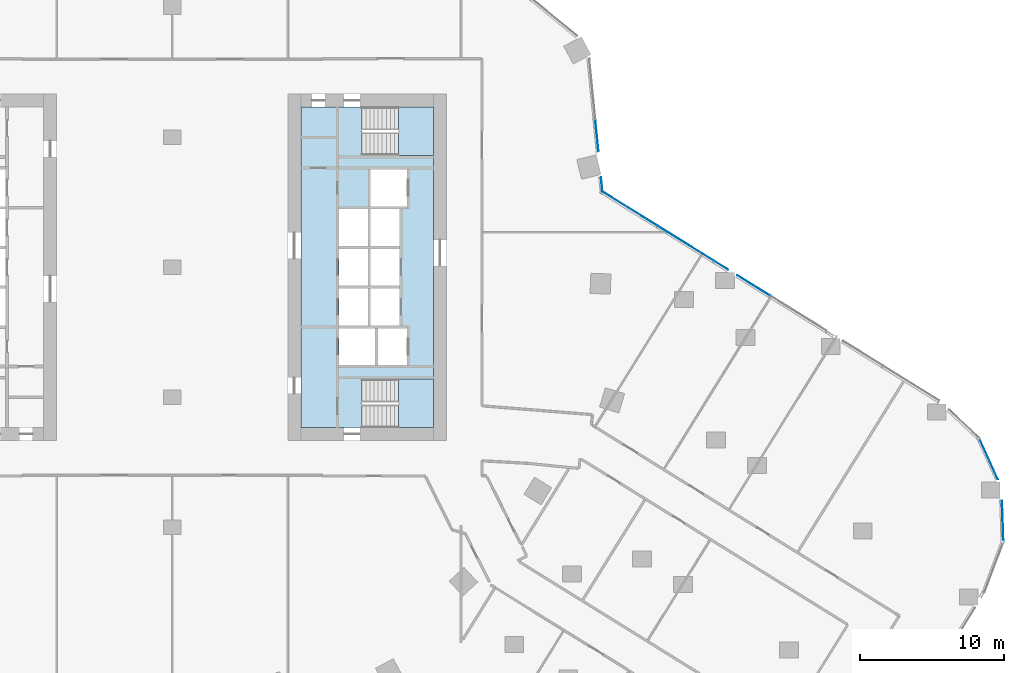
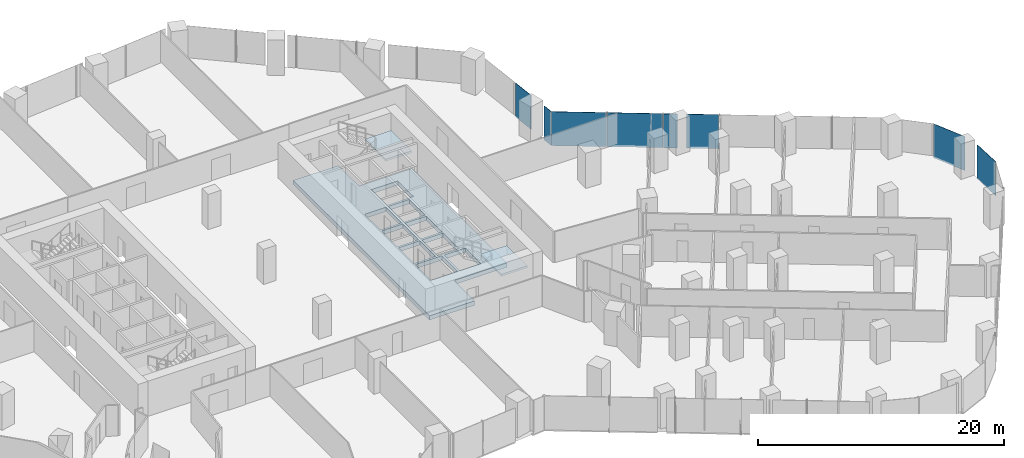
# One storey, part 23 of 34: 8 plates, 3 slabs, 6 elements without a shape of their own.
"""IFC4 building model written with IfcOpenShell, lengths in metres."""

import ifcopenshell
import ifcopenshell.guid

model = None  # the IFC model being written
_history = None  # IfcOwnerHistory: only IFC2X3 demands one
_inside = {}  # id of a spatial element -> (the spatial element, [elements in it])
_under = {}  # id of a project, library or spatial element -> (it, [spatial elements below it])
_declared = {}  # id of a project -> (the project, [libraries it declares])
_typed = {}  # id of a type object -> (the type object, [elements of that type])
_made_of = {}  # id of a material, layer set ... -> (it, [elements and type objects made of it])


def new_model(schema):
    """Start an empty IFC model of exactly this schema.

    Asked for "IFC4X3", IfcOpenShell would pick the latest addendum, in which some entities
    have other attributes; the version numbers below select the first issue.
    IFC2X3 requires an IfcOwnerHistory on every rooted entity: one is made here for all.
    """
    global model, _history
    if schema == "IFC4X3":
        model = ifcopenshell.file(schema_version=(4, 3, 0, 0))
    else:
        model = ifcopenshell.file(schema=schema)
    _inside.clear()
    _under.clear()
    _declared.clear()
    _typed.clear()
    _made_of.clear()
    _history = None
    if model.schema == "IFC2X3":
        org = make("IfcOrganization", Name="unknown")
        user = make(
            "IfcPersonAndOrganization",
            ThePerson=make("IfcPerson", FamilyName="unknown"),
            TheOrganization=org,
        )
        app = make(
            "IfcApplication",
            ApplicationDeveloper=org,
            Version="unknown",
            ApplicationFullName="unknown",
            ApplicationIdentifier="unknown",
        )
        _history = make(
            "IfcOwnerHistory",
            OwningUser=user,
            OwningApplication=app,
            ChangeAction="ADDED",
            CreationDate=0,
        )
    return model


def make(cls, **values):
    """One entity of the class cls with the attributes given. An attribute that is None is left unset."""
    return model.create_entity(
        cls, **{name: value for name, value in values.items() if value is not None}
    )


def rooted(cls, **values):
    """An entity with a GlobalId (a new one), such as an element, a storey or a relation."""
    return make(cls, GlobalId=ifcopenshell.guid.new(), OwnerHistory=_history, **values)


def si_unit(unit_type, name, prefix=None):
    """IfcSIUnit, for example si_unit("LENGTHUNIT", "METRE", prefix="MILLI")."""
    return make("IfcSIUnit", UnitType=unit_type, Prefix=prefix, Name=name)


def assignment(units):
    """IfcUnitAssignment: the units of a project."""
    return None if units is None else make("IfcUnitAssignment", Units=units)


def point(xyz):
    """IfcCartesianPoint."""
    return None if xyz is None else make("IfcCartesianPoint", Coordinates=xyz)


def direction(xyz):
    """IfcDirection."""
    return None if xyz is None else make("IfcDirection", DirectionRatios=xyz)


def frame(location, z_axis=None, x_axis=None):
    """IfcAxis2Placement3D, a coordinate frame: its origin and axes. An axis left out is left unset."""
    return make(
        "IfcAxis2Placement3D",
        Location=point(location),
        Axis=direction(z_axis),
        RefDirection=direction(x_axis),
    )


def frame_2d(location, x_axis=None):
    """IfcAxis2Placement2D, a coordinate frame in the plane: its origin and x axis."""
    return make(
        "IfcAxis2Placement2D", Location=point(location), RefDirection=direction(x_axis)
    )


def origin():
    """The frame at (0, 0, 0) with its axes left unset."""
    return frame((0.0, 0.0, 0.0))


def origin_2d():
    """The frame at (0, 0) in the plane with its x axis left unset."""
    return frame_2d((0.0, 0.0))


def place(relative_to, where):
    """IfcLocalPlacement: puts the frame where relative to a parent placement (None: the world)."""
    return make(
        "IfcLocalPlacement", PlacementRelTo=relative_to, RelativePlacement=where
    )


def context(
    kind, dimensions, precision=None, world=None, true_north=None, identifier=None
):
    """IfcGeometricRepresentationContext, for example the 3D "Model" context."""
    return make(
        "IfcGeometricRepresentationContext",
        ContextIdentifier=identifier,
        ContextType=kind,
        CoordinateSpaceDimension=dimensions,
        Precision=precision,
        WorldCoordinateSystem=world,
        TrueNorth=true_north,
    )


def subcontext(parent, identifier, kind, view, scale=None):
    """IfcGeometricRepresentationSubContext, for example "Body" below "Model"."""
    return make(
        "IfcGeometricRepresentationSubContext",
        ContextIdentifier=identifier,
        ContextType=kind,
        ParentContext=parent,
        TargetScale=scale,
        TargetView=view,
    )


def project(units=None, contexts=None):
    """IfcProject with its units and contexts."""
    return rooted(
        "IfcProject",
        Name="project",
        RepresentationContexts=contexts,
        UnitsInContext=assignment(units),
    )


def spatial(cls, under=None, at=None, **own):
    """A site, building, storey or space (cls), placed at a placement, below another one or the project."""
    s = rooted(cls, ObjectPlacement=at, **own)
    if under is not None:
        _under.setdefault(under.id(), (under, []))[1].append(s)
    return s


def polyline(points):
    """IfcPolyline through the points."""
    return make("IfcPolyline", Points=[point(p) for p in points])


def profile(cls, at=None, kind="AREA", **sizes):
    """A parametric profile (cls). Its sizes go by their IFC names, for example OverallWidth=200.0."""
    return make(cls, ProfileType=kind, Position=at, **sizes)


def rectangle(**sizes):
    """IfcRectangleProfileDef."""
    return profile("IfcRectangleProfileDef", **sizes)


def outline(outer, holes=None, kind="AREA"):
    """IfcArbitraryClosedProfileDef: a profile drawn as a closed curve; with holes, ...WithVoids."""
    if holes is None:
        return make("IfcArbitraryClosedProfileDef", ProfileType=kind, OuterCurve=outer)
    return make(
        "IfcArbitraryProfileDefWithVoids",
        ProfileType=kind,
        OuterCurve=outer,
        InnerCurves=holes,
    )


def extrude(swept, where, along, depth):
    """IfcExtrudedAreaSolid: the profile swept, set in the frame where, extruded along a direction by depth."""
    return make(
        "IfcExtrudedAreaSolid",
        SweptArea=swept,
        Position=where,
        ExtrudedDirection=direction(along),
        Depth=depth,
    )


def shape(context_of_items, identifier, shape_type, items):
    """IfcShapeRepresentation: the items that make up one representation, for example the "Body"."""
    return make(
        "IfcShapeRepresentation",
        ContextOfItems=context_of_items,
        RepresentationIdentifier=identifier,
        RepresentationType=shape_type,
        Items=items,
    )


def material(Name=None, Category=None):
    """IfcMaterial."""
    return make("IfcMaterial", Name=Name, Category=Category)


def layer(
    of_material, thickness, ventilated=None, Name=None, Category=None, Priority=None
):
    """IfcMaterialLayer: one layer of a wall or slab, of a material (None: an air gap)."""
    return make(
        "IfcMaterialLayer",
        Material=of_material,
        LayerThickness=thickness,
        IsVentilated=ventilated,
        Name=Name,
        Category=Category,
        Priority=Priority,
    )


def layer_set(layers, Name=None):
    """IfcMaterialLayerSet."""
    return make("IfcMaterialLayerSet", MaterialLayers=layers, LayerSetName=Name)


def made_of(thing, what):
    """Note that an element or type object is made of a material, layer set ...; save() writes the relation."""
    if what is not None:
        _made_of.setdefault(what.id(), (what, []))[1].append(thing)
    return thing


def type_object(cls, material=None, **own):
    """A type object (cls), such as IfcWallType, which elements share."""
    return made_of(rooted(cls, **own), material)


def element(
    cls,
    number,
    at=None,
    inside=None,
    cuts=None,
    type_object=None,
    material=None,
    context=None,
    identifier="Body",
    shape_type=None,
    held_by="IfcProductDefinitionShape",
    body=None,
    shapes=None,
    **own,
):
    """One element of the class cls, such as IfcWall. Its Tag is "e" and its number.

    at: its placement. inside: the storey or other place that contains it. cuts: it is an
    opening in that element (IfcRelVoidsElement). A single representation is given by context,
    identifier, shape_type and body (its items); several are given by shapes. held_by: the class
    of the entity that holds the representations. save() writes the other relations.
    """
    e = rooted(cls, Tag="e%d" % number, ObjectPlacement=at, **own)
    if body is not None:
        shapes = [shape(context, identifier, shape_type, body)]
    if shapes is not None:
        e.Representation = make(held_by, Representations=shapes)
    if inside is not None:
        _inside.setdefault(inside.id(), (inside, []))[1].append(e)
    if cuts is not None:
        rooted(
            "IfcRelVoidsElement", RelatingBuildingElement=cuts, RelatedOpeningElement=e
        )
    if type_object is not None:
        _typed.setdefault(type_object.id(), (type_object, []))[1].append(e)
    return made_of(e, material)


def aggregate(whole, parts):
    """IfcRelAggregates: a whole, such as a stair, and the parts it consists of."""
    return rooted("IfcRelAggregates", RelatingObject=whole, RelatedObjects=parts)


def save(model, path):
    """Write the relations noted so far, then the file.

    IfcRelAggregates (storeys below a building ...), IfcRelContainedInSpatialStructure (elements
    in a storey), IfcRelDefinesByType, IfcRelAssociatesMaterial and IfcRelDeclares: one each for
    every whole, place, type object, material and project.
    """
    for whole, parts in _under.values():
        aggregate(whole, parts)
    for where, things in _inside.values():
        rooted(
            "IfcRelContainedInSpatialStructure",
            RelatedElements=things,
            RelatingStructure=where,
        )
    for kind, things in _typed.values():
        rooted("IfcRelDefinesByType", RelatedObjects=things, RelatingType=kind)
    for what, things in _made_of.values():
        rooted("IfcRelAssociatesMaterial", RelatedObjects=things, RelatingMaterial=what)
    for by, libraries in _declared.values():
        rooted("IfcRelDeclares", RelatingContext=by, RelatedDefinitions=libraries)
    model.write(path)


model = new_model("IFC4")

# Units and contexts
model_context = context("Model", 3, precision=1e-05, world=origin(), true_north=direction((0.0, 1.0)))
body_context = subcontext(model_context, "Body", "Model", "MODEL_VIEW")
ifc_project = project(units=[si_unit("LENGTHUNIT", "METRE"), si_unit("AREAUNIT", "SQUARE_METRE"), si_unit("VOLUMEUNIT", "CUBIC_METRE"), si_unit("PLANEANGLEUNIT", "RADIAN"), si_unit("MASSUNIT", "GRAM", prefix="KILO")], contexts=[model_context])

# Site, building, storey
site_placement = place(None, origin())
site = spatial("IfcSite", under=ifc_project, at=site_placement, CompositionType="ELEMENT")
building_placement = place(site_placement, origin())
building = spatial("IfcBuilding", under=site, at=building_placement, Name="Orlundy Tower", CompositionType="ELEMENT")
storey_placement = place(building_placement, frame((0.0, 0.0, 44.300048828125)))
storey = spatial("IfcBuildingStorey", under=building, at=storey_placement, Name="L09", CompositionType="ELEMENT", Elevation=44.300048828125)

# Curtain wall, plates
ifc_material_1 = material(Name="Aluminium bronze anodised", Category="aluminium")
curtain_wall_type = type_object("IfcCurtainWallType", Name="CW1 wall", PredefinedType="NOTDEFINED", material=ifc_material_1)
curtain_wall_1_placement = place(storey_placement, origin())
curtain_wall_1 = element("IfcCurtainWall", 1, at=curtain_wall_1_placement, inside=storey, type_object=curtain_wall_type, Name="CW1 run 05", PredefinedType="NOTDEFINED")
ifc_material_2 = material(Name="Tinted glass", Category="glass")
ifc_layer_1 = layer(ifc_material_2, 0.031982421875)
ifc_layer_set_1 = layer_set([ifc_layer_1], Name="CW1 glass panel 32")
plate_type = type_object("IfcPlateType", Name="CW1 glass panel 32", PredefinedType="CURTAIN_PANEL", material=ifc_layer_set_1)
plate_1_placement = place(storey_placement, frame((29.40625, 9.1259765625, -0.300048828125), z_axis=(0.0, 0.0, 1.0), x_axis=(0.098758968204, -0.995111383815, 0.0)))
plate_1 = element("IfcPlate", 2, at=plate_1_placement, type_object=plate_type, Name="CW1 panel", PredefinedType="CURTAIN_PANEL", context=body_context, shape_type="SweptSolid", body=[
    extrude(rectangle(XDim=2.210205078125, YDim=0.031982421875, at=origin_2d()), origin(), (0.0, 0.0, 1.0), 3.3798828125),
])
plate_2_placement = place(storey_placement, frame((29.74365234375, 5.72802734375, -0.300048828125), z_axis=(0.0, 0.0, 1.0), x_axis=(0.098758968204, -0.995111383815, 0.0)))
plate_2 = element("IfcPlate", 3, at=plate_2_placement, type_object=plate_type, Name="CW1 panel", PredefinedType="CURTAIN_PANEL", context=body_context, shape_type="SweptSolid", body=[
    extrude(rectangle(XDim=0.9853515625, YDim=0.031982421875, at=origin_2d()), origin(), (0.0, 0.0, 1.0), 3.3798828125),
])
aggregate(curtain_wall_1, [plate_1, plate_2])

curtain_wall_2_placement = place(storey_placement, origin())
curtain_wall_2 = element("IfcCurtainWall", 4, at=curtain_wall_2_placement, inside=storey, type_object=curtain_wall_type, Name="CW1 run 06", PredefinedType="NOTDEFINED")
plate_3_placement = place(storey_placement, frame((31.696533203125, 4.055419921875, -0.300048828125), z_axis=(0.0, 0.0, 1.0), x_axis=(0.849584043137, -0.527453271529, 0.0)))
plate_3 = element("IfcPlate", 5, at=plate_3_placement, type_object=plate_type, Name="CW1 panel", PredefinedType="CURTAIN_PANEL", context=body_context, shape_type="SweptSolid", body=[
    extrude(rectangle(XDim=4.48291015625, YDim=0.031982421875, at=origin_2d()), origin(), (0.0, 0.0, 1.0), 3.3798828125),
])
plate_4_placement = place(storey_placement, frame((35.5712890625, 1.64990234375, -0.300048828125), z_axis=(0.0, 0.0, 1.0), x_axis=(0.849584043137, -0.527453271529, 0.0)))
plate_4 = element("IfcPlate", 6, at=plate_4_placement, type_object=plate_type, Name="CW1 panel", PredefinedType="CURTAIN_PANEL", context=body_context, shape_type="SweptSolid", body=[
    extrude(rectangle(XDim=4.538818359375, YDim=0.031982421875, at=origin_2d()), origin(), (0.0, 0.0, 1.0), 3.3798828125),
])
plate_5_placement = place(storey_placement, frame((38.025390625, 0.126220703125, -0.300048828125), z_axis=(0.0, 0.0, 1.0), x_axis=(0.849584043137, -0.527453271529, 0.0)))
plate_5 = element("IfcPlate", 7, at=plate_5_placement, type_object=plate_type, Name="CW1 panel", PredefinedType="CURTAIN_PANEL", context=body_context, shape_type="SweptSolid", body=[
    extrude(rectangle(XDim=1.138427734375, YDim=0.031982421875, at=origin_2d()), origin(), (0.0, 0.0, 1.0), 3.3798828125),
])
plate_6_placement = place(storey_placement, frame((40.25830078125, -1.260009765625, -0.300048828125), z_axis=(0.0, 0.0, 1.0), x_axis=(0.849584043137, -0.527453271529, 0.0)))
plate_6 = element("IfcPlate", 8, at=plate_6_placement, type_object=plate_type, Name="CW1 panel", PredefinedType="CURTAIN_PANEL", context=body_context, shape_type="SweptSolid", body=[
    extrude(rectangle(XDim=2.68212890625, YDim=0.031982421875, at=origin_2d()), origin(), (0.0, 0.0, 1.0), 3.3798828125),
])
aggregate(curtain_wall_2, [plate_3, plate_4, plate_5, plate_6])

# Curtain wall, plate
curtain_wall_3_placement = place(storey_placement, origin())
curtain_wall_3 = element("IfcCurtainWall", 9, at=curtain_wall_3_placement, inside=storey, type_object=curtain_wall_type, Name="CW1 run 08", PredefinedType="NOTDEFINED")
plate_7_placement = place(storey_placement, frame((56.520751953125, -13.245361328125, -0.300048828125), z_axis=(0.0, 0.0, 1.0), x_axis=(0.413335357608, -0.91057887201, 0.0)))
plate_7 = element("IfcPlate", 10, at=plate_7_placement, type_object=plate_type, Name="CW1 panel", PredefinedType="CURTAIN_PANEL", context=body_context, shape_type="SweptSolid", body=[
    extrude(rectangle(XDim=3.140380859375, YDim=0.031982421875, at=origin_2d()), origin(), (0.0, 0.0, 1.0), 3.3798828125),
])
aggregate(curtain_wall_3, [plate_7])

curtain_wall_4_placement = place(storey_placement, origin())
curtain_wall_4 = element("IfcCurtainWall", 11, at=curtain_wall_4_placement, inside=storey, type_object=curtain_wall_type, Name="CW1 run 09", PredefinedType="NOTDEFINED")
plate_8_placement = place(storey_placement, frame((57.50927734375, -17.59765625, -0.300048828125), z_axis=(0.0, 0.0, 1.0), x_axis=(0.033449557474, -0.99944040698, 0.0)))
plate_8 = element("IfcPlate", 12, at=plate_8_placement, type_object=plate_type, Name="CW1 panel", PredefinedType="CURTAIN_PANEL", context=body_context, shape_type="SweptSolid", body=[
    extrude(rectangle(XDim=2.8466796875, YDim=0.031982421875, at=origin_2d()), origin(), (0.0, 0.0, 1.0), 3.3798828125),
])
aggregate(curtain_wall_4, [plate_8])

# Slab
ifc_material_3 = material(Name="Concrete C50/60", Category="concrete")
ifc_layer_2 = layer(ifc_material_3, 0.419921875)
ifc_layer_set_2 = layer_set([ifc_layer_2], Name="Core Floor Slab 420")
slab_type_1 = type_object("IfcSlabType", Name="Core Floor Slab 420", PredefinedType="FLOOR", material=ifc_layer_set_2)
slab_1_placement = place(storey_placement, frame((0.0, 0.0, -0.420166015625)))
element("IfcSlab", 13, at=slab_1_placement, inside=storey, type_object=slab_type_1, Name="Core floor E09", PredefinedType="FLOOR", context=body_context, shape_type="SweptSolid", body=[
    extrude(outline(polyline([(13.14501953125, -7.75), (13.14501953125, -11.10009765625), (8.89990234375, -11.10009765625), (8.89990234375, 11.10009765625), (13.14501953125, 11.10009765625), (13.14501953125, 7.75), (18.10009765625, 7.75), (18.10009765625, -7.75), (13.14501953125, -7.75)]), holes=[polyline([(16.239990234375, 6.77490234375), (13.739990234375, 6.77490234375), (13.739990234375, 4.22509765625), (16.239990234375, 4.22509765625), (16.239990234375, 6.77490234375)]), polyline([(13.5400390625, 1.47509765625), (13.5400390625, 4.02490234375), (11.5400390625, 4.02490234375), (11.5400390625, 1.47509765625), (13.5400390625, 1.47509765625)]), polyline([(13.739990234375, 1.47509765625), (15.739990234375, 1.47509765625), (15.739990234375, 4.02490234375), (13.739990234375, 4.02490234375), (13.739990234375, 1.47509765625)]), polyline([(11.5400390625, 1.27490234375), (11.5400390625, -1.27490234375), (13.5400390625, -1.27490234375), (13.5400390625, 1.27490234375), (11.5400390625, 1.27490234375)]), polyline([(15.739990234375, 1.27490234375), (13.739990234375, 1.27490234375), (13.739990234375, -1.27490234375), (15.739990234375, -1.27490234375), (15.739990234375, 1.27490234375)]), polyline([(13.5400390625, -4.02490234375), (13.5400390625, -1.47509765625), (11.5400390625, -1.47509765625), (11.5400390625, -4.02490234375), (13.5400390625, -4.02490234375)]), polyline([(13.739990234375, -4.02490234375), (15.739990234375, -4.02490234375), (15.739990234375, -1.47509765625), (13.739990234375, -1.47509765625), (13.739990234375, -4.02490234375)]), polyline([(11.5400390625, -4.22509765625), (11.5400390625, -6.77490234375), (14.0400390625, -6.77490234375), (14.0400390625, -4.22509765625), (11.5400390625, -4.22509765625)]), polyline([(16.239990234375, -4.22509765625), (14.239990234375, -4.22509765625), (14.239990234375, -6.77490234375), (16.239990234375, -6.77490234375), (16.239990234375, -4.22509765625)])]), origin(), (0.0, 0.0, 1.0), 0.420166015625),
])

# Stair, slab
ifc_material_4 = material(Name="Concrete C50/60", Category="concrete")
stair_type = type_object("IfcStairType", Name="Exit Stair 20 risers", PredefinedType="HALF_TURN_STAIR", material=ifc_material_4)
stair_1_placement = place(storey_placement, origin())
stair_1 = element("IfcStair", 14, at=stair_1_placement, inside=storey, type_object=stair_type, Name="L09 Exit Stair ST-E1", PredefinedType="HALF_TURN_STAIR")
ifc_material_5 = material(Name="Concrete C50/60", Category="concrete")
ifc_layer_3 = layer(ifc_material_5, 0.199951171875)
ifc_layer_set_3 = layer_set([ifc_layer_3], Name="Exit Stair Landing")
slab_type_2 = type_object("IfcSlabType", Name="Exit Stair Landing", PredefinedType="LANDING", material=ifc_layer_set_3)
slab_2_placement = place(storey_placement, frame((0.0, 0.0, 1.550048828125)))
slab_2 = element("IfcSlab", 15, at=slab_2_placement, type_object=slab_type_2, Name="ST-E1 landing 1", PredefinedType="LANDING", context=body_context, shape_type="SweptSolid", body=[
    extrude(outline(polyline([(15.659912109375, -11.10009765625), (18.10009765625, -11.10009765625), (18.10009765625, -7.75), (15.659912109375, -7.75), (15.659912109375, -11.10009765625)])), origin(), (0.0, 0.0, 1.0), 0.199951171875),
])
aggregate(stair_1, [slab_2])

stair_2_placement = place(storey_placement, origin())
stair_2 = element("IfcStair", 16, at=stair_2_placement, inside=storey, type_object=stair_type, Name="L09 Exit Stair ST-E2", PredefinedType="HALF_TURN_STAIR")
slab_3_placement = place(storey_placement, frame((0.0, 0.0, 1.550048828125)))
slab_3 = element("IfcSlab", 17, at=slab_3_placement, type_object=slab_type_2, Name="ST-E2 landing 1", PredefinedType="LANDING", context=body_context, shape_type="SweptSolid", body=[
    extrude(outline(polyline([(15.659912109375, 7.75), (18.10009765625, 7.75), (18.10009765625, 11.10009765625), (15.659912109375, 11.10009765625), (15.659912109375, 7.75)])), origin(), (0.0, 0.0, 1.0), 0.199951171875),
])
aggregate(stair_2, [slab_3])

save(model, "model.ifc")
